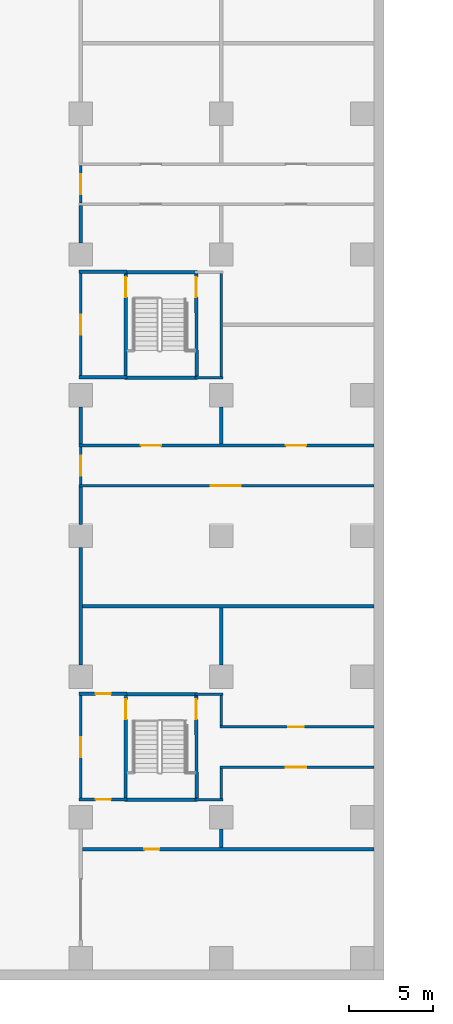
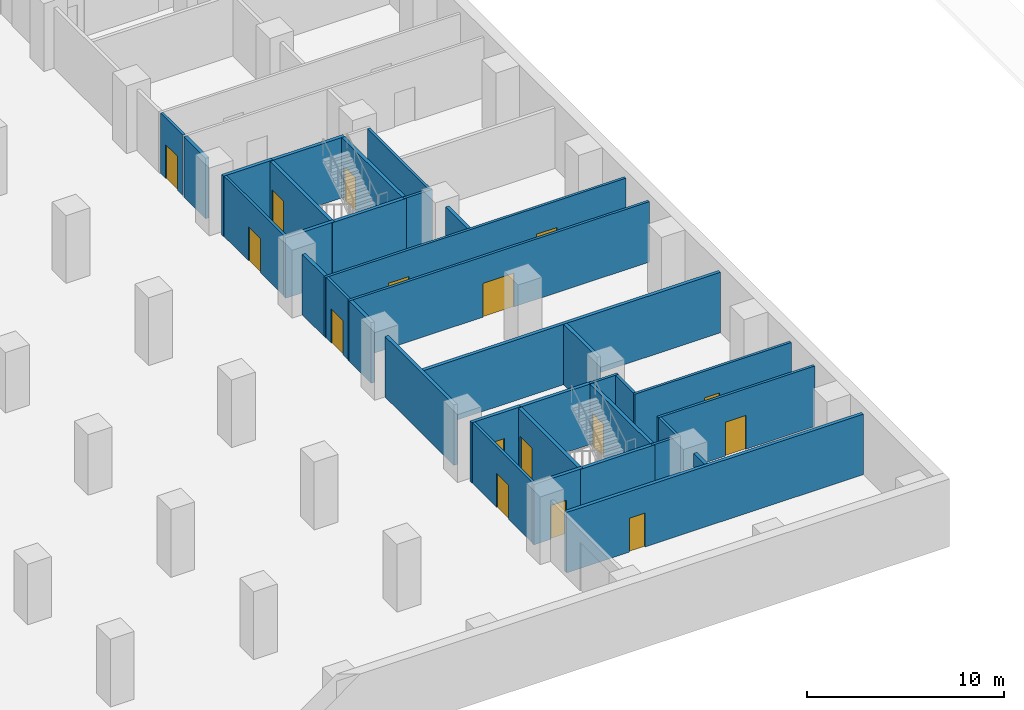
# One storey, part 8 of 17: 35 walls, 16 doors, 16 openings.
"""IFC4 building model written with IfcOpenShell, lengths in metres."""

from ifc_helpers import new_model, si_unit, direction, frame, frame_2d, origin, place, context, subcontext, project, spatial, rectangle, extrude, material, layer, layer_set, type_object, element, fill, save


model = new_model("IFC4")

# Units and contexts
model_context = context("Model", 3, precision=1e-05, world=origin(), true_north=direction((0.0, 1.0)))
body_context = subcontext(model_context, "Body", "Model", "MODEL_VIEW")
ifc_project = project(units=[si_unit("LENGTHUNIT", "METRE"), si_unit("AREAUNIT", "SQUARE_METRE"), si_unit("VOLUMEUNIT", "CUBIC_METRE"), si_unit("PLANEANGLEUNIT", "RADIAN"), si_unit("MASSUNIT", "GRAM", prefix="KILO")], contexts=[model_context])

# Site, building, storey
site_placement = place(None, origin())
site = spatial("IfcSite", under=ifc_project, at=site_placement, CompositionType="ELEMENT")
building_placement = place(site_placement, origin())
building = spatial("IfcBuilding", under=site, at=building_placement, Name="Vermilion Ogive Tower", CompositionType="ELEMENT")
storey_placement = place(building_placement, frame((0.0, 0.0, -4.199951171875)))
storey = spatial("IfcBuildingStorey", under=building, at=storey_placement, Name="B1", CompositionType="ELEMENT", Elevation=-4.199951171875)

# Wall
ifc_material_1 = material(Name="Gypsum board partition on steel studs", Category="steel")
ifc_layer_1 = layer(ifc_material_1, 0.14990234375)
ifc_layer_set_1 = layer_set([ifc_layer_1], Name="Partition 150 corridor")
wall_type_1 = type_object("IfcWallType", Name="Partition 150 corridor", PredefinedType="PARTITIONING", material=ifc_layer_set_1)
wall_1_placement = place(storey_placement, frame((48.824951171875, -28.35009765625, 0.0), z_axis=(0.0, 0.0, 1.0), x_axis=(1.0, 0.0, 0.0)))
element("IfcWall", 1, at=wall_1_placement, inside=storey, type_object=wall_type_1, Name="B1-PK-W-W004", PredefinedType="PARTITIONING", context=body_context, shape_type="SweptSolid", body=[
    extrude(rectangle(XDim=1.675048828125, YDim=0.14990234375, at=frame_2d((0.83740234375, 0.0))), origin(), (0.0, 0.0, 1.0), 3.75),
])

# Wall, opening, door
wall_2_placement = place(storey_placement, frame((50.324951171875, -26.39990234375, 0.0), z_axis=(0.0, 0.0, 1.0), x_axis=(1.0, 0.0, 0.0)))
wall_2 = element("IfcWall", 2, at=wall_2_placement, inside=storey, type_object=wall_type_1, Name="B1-PK-W-W005", PredefinedType="PARTITIONING", context=body_context, shape_type="SweptSolid", body=[
    extrude(rectangle(XDim=9.174072265625, YDim=0.14990234375, at=frame_2d((4.5869140625, 0.0))), origin(), (0.0, 0.0, 1.0), 3.75),
])
opening_1_placement = place(wall_2_placement, frame((3.925048828125, 0.0, 0.0)))
opening_1 = element("IfcOpeningElement", 3, at=opening_1_placement, cuts=wall_2, Name="Opening PK1-18", PredefinedType="OPENING", context=body_context, shape_type="SweptSolid", body=[
    extrude(rectangle(XDim=1.199951171875, YDim=2.10009765625, at=frame_2d((0.60009765625, 1.050048828125))), frame((0.0, 0.0849609375, 0.0), z_axis=(0.0, -1.0, 0.0), x_axis=(1.0, 0.0, 0.0)), (0.0, 0.0, 1.0), 0.169921875),
])
ifc_material_2 = material(Name="Timber door leaf", Category="wood")
door_type_1 = type_object("IfcDoorType", Name="Store door 1200 x 2100 FD30", OperationType="SINGLE_SWING_LEFT", PredefinedType="DOOR", material=ifc_material_2)
door_1_placement = place(opening_1_placement, origin())
door_1 = element("IfcDoor", 4, at=door_1_placement, inside=storey, type_object=door_type_1, Name="B1-PK-D-D018", OperationType="SINGLE_SWING_LEFT", OverallHeight=2.10009765625, OverallWidth=1.199951171875, PredefinedType="DOOR", context=body_context, shape_type="SweptSolid", body=[
    extrude(rectangle(XDim=1.199951171875, YDim=2.10009765625, at=frame_2d((0.60009765625, 1.050048828125))), frame((0.0, 0.02490234375, 0.0), z_axis=(0.0, -1.0, 0.0), x_axis=(1.0, 0.0, 0.0)), (0.0, 0.0, 1.0), 0.050048828125),
])
fill(opening_1, door_1)

wall_3_placement = place(storey_placement, frame((50.324951171875, -24.0, 0.0), z_axis=(0.0, 0.0, 1.0), x_axis=(1.0, 0.0, 0.0)))
wall_3 = element("IfcWall", 5, at=wall_3_placement, inside=storey, type_object=wall_type_1, Name="B1-PK-W-W006", PredefinedType="PARTITIONING", context=body_context, shape_type="SweptSolid", body=[
    extrude(rectangle(XDim=9.174072265625, YDim=0.14990234375, at=frame_2d((4.5869140625, 0.0))), origin(), (0.0, 0.0, 1.0), 3.75),
])
opening_2_placement = place(wall_3_placement, frame((4.0751953125, 0.0, 0.0)))
opening_2 = element("IfcOpeningElement", 6, at=opening_2_placement, cuts=wall_3, Name="Opening PK1-20", PredefinedType="OPENING", context=body_context, shape_type="SweptSolid", body=[
    extrude(rectangle(XDim=0.89990234375, YDim=2.10009765625, at=frame_2d((0.449951171875, 1.050048828125))), frame((0.0, 0.0849609375, 0.0), z_axis=(0.0, -1.0, 0.0), x_axis=(1.0, 0.0, 0.0)), (0.0, 0.0, 1.0), 0.169921875),
])
ifc_material_3 = material(Name="Timber door leaf", Category="wood")
door_type_2 = type_object("IfcDoorType", Name="Staff door 900 x 2100 FD30", OperationType="SINGLE_SWING_LEFT", PredefinedType="DOOR", material=ifc_material_3)
door_2_placement = place(opening_2_placement, origin())
door_2 = element("IfcDoor", 7, at=door_2_placement, inside=storey, type_object=door_type_2, Name="B1-PK-D-D020", OperationType="SINGLE_SWING_LEFT", OverallHeight=2.10009765625, OverallWidth=0.89990234375, PredefinedType="DOOR", context=body_context, shape_type="SweptSolid", body=[
    extrude(rectangle(XDim=0.89990234375, YDim=2.10009765625, at=frame_2d((0.449951171875, 1.050048828125))), frame((0.0, 0.02490234375, 0.0), z_axis=(0.0, -1.0, 0.0), x_axis=(1.0, 0.0, 0.0)), (0.0, 0.0, 1.0), 0.050048828125),
])
fill(opening_2, door_2)

# Wall
wall_4_placement = place(storey_placement, frame((48.824951171875, -22.050048828125, 0.0), z_axis=(0.0, 0.0, 1.0), x_axis=(1.0, 0.0, 0.0)))
element("IfcWall", 8, at=wall_4_placement, inside=storey, type_object=wall_type_1, Name="B1-PK-W-W012", PredefinedType="PARTITIONING", context=body_context, shape_type="SweptSolid", body=[
    extrude(rectangle(XDim=1.675048828125, YDim=0.14990234375, at=frame_2d((0.83740234375, 0.0))), origin(), (0.0, 0.0, 1.0), 3.75),
])

# Wall, opening, door
wall_5_placement = place(storey_placement, frame((41.89990234375, -9.60009765625, 0.0), z_axis=(0.0, 0.0, 1.0), x_axis=(1.0, 0.0, 0.0)))
wall_5 = element("IfcWall", 9, at=wall_5_placement, inside=storey, type_object=wall_type_1, Name="B1-PK-W-W016", PredefinedType="PARTITIONING", context=body_context, shape_type="SweptSolid", body=[
    extrude(rectangle(XDim=17.59912109375, YDim=0.14990234375, at=frame_2d((8.799560546875, 0.0))), origin(), (0.0, 0.0, 1.0), 3.75),
])
opening_3_placement = place(wall_5_placement, frame((7.85009765625, 0.0, 0.0)))
opening_3 = element("IfcOpeningElement", 10, at=opening_3_placement, cuts=wall_5, Name="Opening PK1-21", PredefinedType="OPENING", context=body_context, shape_type="SweptSolid", body=[
    extrude(rectangle(XDim=1.800048828125, YDim=2.10009765625, at=frame_2d((0.89990234375, 1.050048828125))), frame((0.0, 0.0849609375, 0.0), z_axis=(0.0, -1.0, 0.0), x_axis=(1.0, 0.0, 0.0)), (0.0, 0.0, 1.0), 0.169921875),
])
ifc_material_4 = material(Name="Timber door leaf", Category="wood")
door_type_3 = type_object("IfcDoorType", Name="Plant door 1800 x 2100 FD30", OperationType="DOUBLE_DOOR_SINGLE_SWING", PredefinedType="DOOR", material=ifc_material_4)
door_3_placement = place(opening_3_placement, origin())
door_3 = element("IfcDoor", 11, at=door_3_placement, inside=storey, type_object=door_type_3, Name="B1-PK-D-D021", OperationType="DOUBLE_DOOR_SINGLE_SWING", OverallHeight=2.10009765625, OverallWidth=1.800048828125, PredefinedType="DOOR", context=body_context, shape_type="SweptSolid", body=[
    extrude(rectangle(XDim=1.800048828125, YDim=2.10009765625, at=frame_2d((0.89990234375, 1.050048828125))), frame((0.0, 0.02490234375, 0.0), z_axis=(0.0, -1.0, 0.0), x_axis=(1.0, 0.0, 0.0)), (0.0, 0.0, 1.0), 0.050048828125),
])
fill(opening_3, door_3)

# Wall, openings, doors
wall_6_placement = place(storey_placement, frame((41.89990234375, -7.199951171875, 0.0), z_axis=(0.0, 0.0, 1.0), x_axis=(1.0, 0.0, 0.0)))
wall_6 = element("IfcWall", 12, at=wall_6_placement, inside=storey, type_object=wall_type_1, Name="B1-PK-W-W017", PredefinedType="PARTITIONING", context=body_context, shape_type="SweptSolid", body=[
    extrude(rectangle(XDim=17.59912109375, YDim=0.14990234375, at=frame_2d((8.799560546875, 0.0))), origin(), (0.0, 0.0, 1.0), 3.75),
])
opening_4_placement = place(wall_6_placement, frame((3.7001953125, 0.0, 0.0)))
opening_4 = element("IfcOpeningElement", 13, at=opening_4_placement, cuts=wall_6, Name="Opening PK1-22", PredefinedType="OPENING", context=body_context, shape_type="SweptSolid", body=[
    extrude(rectangle(XDim=1.199951171875, YDim=2.10009765625, at=frame_2d((0.60009765625, 1.050048828125))), frame((0.0, 0.0849609375, 0.0), z_axis=(0.0, -1.0, 0.0), x_axis=(1.0, 0.0, 0.0)), (0.0, 0.0, 1.0), 0.169921875),
])
opening_5_placement = place(wall_6_placement, frame((12.35009765625, 0.0, 0.0)))
opening_5 = element("IfcOpeningElement", 14, at=opening_5_placement, cuts=wall_6, Name="Opening PK1-23", PredefinedType="OPENING", context=body_context, shape_type="SweptSolid", body=[
    extrude(rectangle(XDim=1.199951171875, YDim=2.10009765625, at=frame_2d((0.60009765625, 1.050048828125))), frame((0.0, 0.0849609375, 0.0), z_axis=(0.0, -1.0, 0.0), x_axis=(1.0, 0.0, 0.0)), (0.0, 0.0, 1.0), 0.169921875),
])
door_4_placement = place(opening_4_placement, origin())
door_4 = element("IfcDoor", 15, at=door_4_placement, inside=storey, type_object=door_type_1, Name="B1-PK-D-D022", OperationType="SINGLE_SWING_LEFT", OverallHeight=2.10009765625, OverallWidth=1.199951171875, PredefinedType="DOOR", context=body_context, shape_type="SweptSolid", body=[
    extrude(rectangle(XDim=1.199951171875, YDim=2.10009765625, at=frame_2d((0.60009765625, 1.050048828125))), frame((0.0, 0.02490234375, 0.0), z_axis=(0.0, -1.0, 0.0), x_axis=(1.0, 0.0, 0.0)), (0.0, 0.0, 1.0), 0.050048828125),
])
fill(opening_4, door_4)
door_5_placement = place(opening_5_placement, origin())
door_5 = element("IfcDoor", 16, at=door_5_placement, inside=storey, type_object=door_type_1, Name="B1-PK-D-D023", OperationType="SINGLE_SWING_RIGHT", OverallHeight=2.10009765625, OverallWidth=1.199951171875, PredefinedType="DOOR", context=body_context, shape_type="SweptSolid", body=[
    extrude(rectangle(XDim=1.199951171875, YDim=2.10009765625, at=frame_2d((0.60009765625, 1.050048828125))), frame((0.0, 0.02490234375, 0.0), z_axis=(0.0, -1.0, 0.0), x_axis=(1.0, 0.0, 0.0)), (0.0, 0.0, 1.0), 0.050048828125),
])
fill(opening_5, door_5)

# Wall
wall_7_placement = place(storey_placement, frame((48.824951171875, -3.14990234375, 0.0), z_axis=(0.0, 0.0, 1.0), x_axis=(1.0, 0.0, 0.0)))
element("IfcWall", 17, at=wall_7_placement, inside=storey, type_object=wall_type_1, Name="B1-PK-W-W022", PredefinedType="PARTITIONING", context=body_context, shape_type="SweptSolid", body=[
    extrude(rectangle(XDim=1.675048828125, YDim=0.14990234375, at=frame_2d((0.83740234375, 0.0))), origin(), (0.0, 0.0, 1.0), 3.75),
])

# Wall, opening, door
wall_8_placement = place(storey_placement, frame((42.0, -28.27490234375, 0.0), z_axis=(0.0, 0.0, 1.0), x_axis=(0.0, 1.0, 0.0)))
wall_8 = element("IfcWall", 18, at=wall_8_placement, inside=storey, type_object=wall_type_1, Name="B1-PK-W-W053", PredefinedType="PARTITIONING", context=body_context, shape_type="SweptSolid", body=[
    extrude(rectangle(XDim=6.14990234375, YDim=0.14990234375, at=frame_2d((3.074951171875, 0.0))), origin(), (0.0, 0.0, 1.0), 3.75),
])
opening_6_placement = place(wall_8_placement, frame((2.474853515625, 0.0, 0.0)))
opening_6 = element("IfcOpeningElement", 19, at=opening_6_placement, cuts=wall_8, Name="Opening PK1-14", PredefinedType="OPENING", context=body_context, shape_type="SweptSolid", body=[
    extrude(rectangle(XDim=1.199951171875, YDim=2.10009765625, at=frame_2d((0.60009765625, 1.050048828125))), frame((0.0, 0.0849609375, 0.0), z_axis=(0.0, -1.0, 0.0), x_axis=(1.0, 0.0, 0.0)), (0.0, 0.0, 1.0), 0.169921875),
])
ifc_material_5 = material(Name="Timber door leaf", Category="wood")
door_type_4 = type_object("IfcDoorType", Name="Stair door 1200 x 2100 FD60S", OperationType="SINGLE_SWING_LEFT", PredefinedType="DOOR", material=ifc_material_5)
door_6_placement = place(opening_6_placement, origin())
door_6 = element("IfcDoor", 20, at=door_6_placement, inside=storey, type_object=door_type_4, Name="B1-PK-D-D014", OperationType="DOUBLE_DOOR_SINGLE_SWING", OverallHeight=2.10009765625, OverallWidth=1.199951171875, PredefinedType="DOOR", context=body_context, shape_type="SweptSolid", body=[
    extrude(rectangle(XDim=1.199951171875, YDim=2.10009765625, at=frame_2d((0.60009765625, 1.050048828125))), frame((0.0, 0.02490234375, 0.0), z_axis=(0.0, -1.0, 0.0), x_axis=(1.0, 0.0, 0.0)), (0.0, 0.0, 1.0), 0.050048828125),
])
fill(opening_6, door_6)

wall_9_placement = place(storey_placement, frame((42.0, -9.52490234375, 0.0), z_axis=(0.0, 0.0, 1.0), x_axis=(0.0, 1.0, 0.0)))
wall_9 = element("IfcWall", 21, at=wall_9_placement, inside=storey, type_object=wall_type_1, Name="B1-PK-W-W055", PredefinedType="PARTITIONING", context=body_context, shape_type="SweptSolid", body=[
    extrude(rectangle(XDim=2.25, YDim=0.14990234375, at=frame_2d((1.125, 0.0))), origin(), (0.0, 0.0, 1.0), 3.75),
])
opening_7_placement = place(wall_9_placement, frame((0.52490234375, 0.0, 0.0)))
opening_7 = element("IfcOpeningElement", 22, at=opening_7_placement, cuts=wall_9, Name="Opening PK1-32", PredefinedType="OPENING", context=body_context, shape_type="SweptSolid", body=[
    extrude(rectangle(XDim=1.199951171875, YDim=2.10009765625, at=frame_2d((0.60009765625, 1.050048828125))), frame((0.0, 0.0849609375, 0.0), z_axis=(0.0, -1.0, 0.0), x_axis=(1.0, 0.0, 0.0)), (0.0, 0.0, 1.0), 0.169921875),
])
ifc_material_6 = material(Name="Timber door leaf", Category="wood")
door_type_5 = type_object("IfcDoorType", Name="Fire door 1200 x 2100 FD30", OperationType="SINGLE_SWING_LEFT", PredefinedType="DOOR", material=ifc_material_6)
door_7_placement = place(opening_7_placement, origin())
door_7 = element("IfcDoor", 23, at=door_7_placement, inside=storey, type_object=door_type_5, Name="B1-PK-D-D032", OperationType="SINGLE_SWING_LEFT", OverallHeight=2.10009765625, OverallWidth=1.199951171875, PredefinedType="DOOR", context=body_context, shape_type="SweptSolid", body=[
    extrude(rectangle(XDim=1.199951171875, YDim=2.10009765625, at=frame_2d((0.60009765625, 1.050048828125))), frame((0.0, 0.02490234375, 0.0), z_axis=(0.0, -1.0, 0.0), x_axis=(1.0, 0.0, 0.0)), (0.0, 0.0, 1.0), 0.050048828125),
])
fill(opening_7, door_7)

wall_10_placement = place(storey_placement, frame((42.0, -3.074951171875, 0.0), z_axis=(0.0, 0.0, 1.0), x_axis=(0.0, 1.0, 0.0)))
wall_10 = element("IfcWall", 24, at=wall_10_placement, inside=storey, type_object=wall_type_1, Name="B1-PK-W-W057", PredefinedType="PARTITIONING", context=body_context, shape_type="SweptSolid", body=[
    extrude(rectangle(XDim=6.14990234375, YDim=0.14990234375, at=frame_2d((3.074951171875, 0.0))), origin(), (0.0, 0.0, 1.0), 3.75),
])
opening_8_placement = place(wall_10_placement, frame((2.474853515625, 0.0, 0.0)))
opening_8 = element("IfcOpeningElement", 25, at=opening_8_placement, cuts=wall_10, Name="Opening PK1-08", PredefinedType="OPENING", context=body_context, shape_type="SweptSolid", body=[
    extrude(rectangle(XDim=1.199951171875, YDim=2.10009765625, at=frame_2d((0.60009765625, 1.050048828125))), frame((0.0, 0.0849609375, 0.0), z_axis=(0.0, -1.0, 0.0), x_axis=(1.0, 0.0, 0.0)), (0.0, 0.0, 1.0), 0.169921875),
])
door_8_placement = place(opening_8_placement, origin())
door_8 = element("IfcDoor", 26, at=door_8_placement, inside=storey, type_object=door_type_4, Name="B1-PK-D-D008", OperationType="DOUBLE_DOOR_SINGLE_SWING", OverallHeight=2.10009765625, OverallWidth=1.199951171875, PredefinedType="DOOR", context=body_context, shape_type="SweptSolid", body=[
    extrude(rectangle(XDim=1.199951171875, YDim=2.10009765625, at=frame_2d((0.60009765625, 1.050048828125))), frame((0.0, 0.02490234375, 0.0), z_axis=(0.0, -1.0, 0.0), x_axis=(1.0, 0.0, 0.0)), (0.0, 0.0, 1.0), 0.050048828125),
])
fill(opening_8, door_8)

wall_11_placement = place(storey_placement, frame((42.0, 7.27490234375, 0.0), z_axis=(0.0, 0.0, 1.0), x_axis=(0.0, 1.0, 0.0)))
wall_11 = element("IfcWall", 27, at=wall_11_placement, inside=storey, type_object=wall_type_1, Name="B1-PK-W-W059", PredefinedType="PARTITIONING", context=body_context, shape_type="SweptSolid", body=[
    extrude(rectangle(XDim=2.25, YDim=0.14990234375, at=frame_2d((1.125, 0.0))), origin(), (0.0, 0.0, 1.0), 3.75),
])
opening_9_placement = place(wall_11_placement, frame((0.525146484375, 0.0, 0.0)))
opening_9 = element("IfcOpeningElement", 28, at=opening_9_placement, cuts=wall_11, Name="Opening PK1-33", PredefinedType="OPENING", context=body_context, shape_type="SweptSolid", body=[
    extrude(rectangle(XDim=1.199951171875, YDim=2.10009765625, at=frame_2d((0.60009765625, 1.050048828125))), frame((0.0, 0.0849609375, 0.0), z_axis=(0.0, -1.0, 0.0), x_axis=(1.0, 0.0, 0.0)), (0.0, 0.0, 1.0), 0.169921875),
])
door_9_placement = place(opening_9_placement, origin())
door_9 = element("IfcDoor", 29, at=door_9_placement, inside=storey, type_object=door_type_5, Name="B1-PK-D-D033", OperationType="SINGLE_SWING_RIGHT", OverallHeight=2.10009765625, OverallWidth=1.199951171875, PredefinedType="DOOR", context=body_context, shape_type="SweptSolid", body=[
    extrude(rectangle(XDim=1.199951171875, YDim=2.10009765625, at=frame_2d((0.60009765625, 1.050048828125))), frame((0.0, 0.02490234375, 0.0), z_axis=(0.0, -1.0, 0.0), x_axis=(1.0, 0.0, 0.0)), (0.0, 0.0, 1.0), 0.050048828125),
])
fill(opening_9, door_9)

# Walls
wall_12_placement = place(storey_placement, frame((50.39990234375, -28.27490234375, 0.0), z_axis=(0.0, 0.0, 1.0), x_axis=(0.0, 1.0, 0.0)))
element("IfcWall", 30, at=wall_12_placement, inside=storey, type_object=wall_type_1, Name="B1-PK-W-W070", PredefinedType="PARTITIONING", context=body_context, shape_type="SweptSolid", body=[
    extrude(rectangle(XDim=1.7998046875, YDim=0.14990234375, at=frame_2d((0.89990234375, 0.0))), origin(), (0.0, 0.0, 1.0), 3.75),
])
wall_13_placement = place(storey_placement, frame((50.39990234375, -23.925048828125, 0.0), z_axis=(0.0, 0.0, 1.0), x_axis=(0.0, 1.0, 0.0)))
element("IfcWall", 31, at=wall_13_placement, inside=storey, type_object=wall_type_1, Name="B1-PK-W-W071", PredefinedType="PARTITIONING", context=body_context, shape_type="SweptSolid", body=[
    extrude(rectangle(XDim=1.800048828125, YDim=0.14990234375, at=frame_2d((0.89990234375, 0.0))), origin(), (0.0, 0.0, 1.0), 3.75),
])
wall_14_placement = place(storey_placement, frame((50.39990234375, -3.074951171875, 0.0), z_axis=(0.0, 0.0, 1.0), x_axis=(0.0, 1.0, 0.0)))
element("IfcWall", 32, at=wall_14_placement, inside=storey, type_object=wall_type_1, Name="B1-PK-W-W074", PredefinedType="PARTITIONING", context=body_context, shape_type="SweptSolid", body=[
    extrude(rectangle(XDim=6.14990234375, YDim=0.14990234375, at=frame_2d((3.074951171875, 0.0))), origin(), (0.0, 0.0, 1.0), 3.75),
])

# Wall, opening, door
ifc_material_7 = material(Name="Gypsum board partition on steel studs", Category="steel")
ifc_layer_2 = layer(ifc_material_7, 0.199951171875)
ifc_layer_set_2 = layer_set([ifc_layer_2], Name="Partition 200 party")
wall_type_2 = type_object("IfcWallType", Name="Partition 200 party", PredefinedType="PARTITIONING", material=ifc_layer_set_2)
wall_15_placement = place(storey_placement, frame((42.10009765625, -31.300048828125, 0.0), z_axis=(0.0, 0.0, 1.0), x_axis=(1.0, 0.0, 0.0)))
wall_15 = element("IfcWall", 33, at=wall_15_placement, inside=storey, type_object=wall_type_2, Name="B1-PK-W-W001", PredefinedType="PARTITIONING", context=body_context, shape_type="SweptSolid", body=[
    extrude(rectangle(XDim=17.39892578125, YDim=0.199951171875, at=frame_2d((8.699462890625, 0.0))), origin(), (0.0, 0.0, 1.0), 3.75),
])
opening_10_placement = place(wall_15_placement, frame((3.699951171875, 0.0, 0.0)))
opening_10 = element("IfcOpeningElement", 34, at=opening_10_placement, cuts=wall_15, Name="Opening PK1-35", PredefinedType="OPENING", context=body_context, shape_type="SweptSolid", body=[
    extrude(rectangle(XDim=0.89990234375, YDim=2.10009765625, at=frame_2d((0.449951171875, 1.050048828125))), frame((0.0, 0.10986328125, 0.0), z_axis=(0.0, -1.0, 0.0), x_axis=(1.0, 0.0, 0.0)), (0.0, 0.0, 1.0), 0.219970703125),
])
door_10_placement = place(opening_10_placement, origin())
door_10 = element("IfcDoor", 35, at=door_10_placement, inside=storey, type_object=door_type_2, Name="B1-PK-D-D035", OperationType="SINGLE_SWING_RIGHT", OverallHeight=2.10009765625, OverallWidth=0.89990234375, PredefinedType="DOOR", context=body_context, shape_type="SweptSolid", body=[
    extrude(rectangle(XDim=0.89990234375, YDim=2.10009765625, at=frame_2d((0.449951171875, 1.050048828125))), frame((0.0, 0.02490234375, 0.0), z_axis=(0.0, -1.0, 0.0), x_axis=(1.0, 0.0, 0.0)), (0.0, 0.0, 1.0), 0.050048828125),
])
fill(opening_10, door_10)

# Walls
wall_16_placement = place(storey_placement, frame((42.10009765625, -16.800048828125, 0.0), z_axis=(0.0, 0.0, 1.0), x_axis=(1.0, 0.0, 0.0)))
element("IfcWall", 36, at=wall_16_placement, inside=storey, type_object=wall_type_2, Name="B1-PK-W-W013", PredefinedType="PARTITIONING", context=body_context, shape_type="SweptSolid", body=[
    extrude(rectangle(XDim=17.39892578125, YDim=0.199951171875, at=frame_2d((8.699462890625, 0.0))), origin(), (0.0, 0.0, 1.0), 3.75),
])
wall_17_placement = place(storey_placement, frame((42.0, -20.300048828125, 0.0), z_axis=(0.0, 0.0, 1.0), x_axis=(0.0, 1.0, 0.0)))
element("IfcWall", 37, at=wall_17_placement, inside=storey, type_object=wall_type_2, Name="B1-PK-W-W054a", PredefinedType="PARTITIONING", context=body_context, shape_type="SweptSolid", body=[
    extrude(rectangle(XDim=7.0, YDim=0.199951171875, at=frame_2d((3.5, 0.0))), origin(), (0.0, 0.0, 1.0), 3.75),
])
wall_18_placement = place(storey_placement, frame((42.0, -11.89990234375, 0.0), z_axis=(0.0, 0.0, 1.0), x_axis=(0.0, 1.0, 0.0)))
element("IfcWall", 38, at=wall_18_placement, inside=storey, type_object=wall_type_2, Name="B1-PK-W-W054b", PredefinedType="PARTITIONING", context=body_context, shape_type="SweptSolid", body=[
    extrude(rectangle(XDim=2.224853515625, YDim=0.199951171875, at=frame_2d((1.1123046875, 0.0))), origin(), (0.0, 0.0, 1.0), 3.75),
])
for number, where, z_axis, x_axis, name in (
    (39, (42.0, -7.125, 0.0), (0.0, 0.0, 1.0), (0.0, 1.0, 0.0), "B1-PK-W-W056a"),
    (40, (42.0, 4.89990234375, 0.0), (0.0, 0.0, 1.0), (0.0, 1.0, 0.0), "B1-PK-W-W058a"),
):
    element("IfcWall", number, at=place(storey_placement, frame(where, z_axis=z_axis, x_axis=x_axis)), inside=storey, type_object=wall_type_2, Name=name, PredefinedType="PARTITIONING", context=body_context, shape_type="SweptSolid", body=[
        extrude(rectangle(XDim=2.22509765625, YDim=0.199951171875, at=frame_2d((1.112548828125, 0.0))), origin(), (0.0, 0.0, 1.0), 3.75),
    ])
wall_19_placement = place(storey_placement, frame((50.39990234375, -31.199951171875, 0.0), z_axis=(0.0, 0.0, 1.0), x_axis=(0.0, 1.0, 0.0)))
element("IfcWall", 41, at=wall_19_placement, inside=storey, type_object=wall_type_2, Name="B1-PK-W-W069a", PredefinedType="PARTITIONING", context=body_context, shape_type="SweptSolid", body=[
    extrude(rectangle(XDim=1.099853515625, YDim=0.199951171875, at=frame_2d((0.5498046875, 0.0))), origin(), (0.0, 0.0, 1.0), 3.75),
])
wall_20_placement = place(storey_placement, frame((50.39990234375, -20.300048828125, 0.0), z_axis=(0.0, 0.0, 1.0), x_axis=(0.0, 1.0, 0.0)))
element("IfcWall", 42, at=wall_20_placement, inside=storey, type_object=wall_type_2, Name="B1-PK-W-W072a", PredefinedType="PARTITIONING", context=body_context, shape_type="SweptSolid", body=[
    extrude(rectangle(XDim=3.400146484375, YDim=0.199951171875, at=frame_2d((1.7001953125, 0.0))), origin(), (0.0, 0.0, 1.0), 3.75),
])
wall_21_placement = place(storey_placement, frame((50.39990234375, -7.125, 0.0), z_axis=(0.0, 0.0, 1.0), x_axis=(0.0, 1.0, 0.0)))
element("IfcWall", 43, at=wall_21_placement, inside=storey, type_object=wall_type_2, Name="B1-PK-W-W073a", PredefinedType="PARTITIONING", context=body_context, shape_type="SweptSolid", body=[
    extrude(rectangle(XDim=2.22509765625, YDim=0.199951171875, at=frame_2d((1.112548828125, 0.0))), origin(), (0.0, 0.0, 1.0), 3.75),
])

# Wall, opening, door
ifc_material_8 = material(Name="Concrete B60", Category="concrete")
ifc_layer_3 = layer(ifc_material_8, 0.199951171875)
ifc_layer_set_3 = layer_set([ifc_layer_3], Name="Stair shaft wall 200 Concrete B60")
wall_type_3 = type_object("IfcWallType", Name="Stair shaft wall 200 Concrete B60", PredefinedType="SOLIDWALL", material=ifc_layer_set_3)
wall_22_placement = place(storey_placement, frame((41.89990234375, -28.3251953125, 0.0), z_axis=(0.0, 0.0, 1.0), x_axis=(1.0, 0.0, 0.0)))
wall_22 = element("IfcWall", 44, at=wall_22_placement, inside=storey, type_object=wall_type_3, Name="B1-PK-W-W002", PredefinedType="SOLIDWALL", context=body_context, shape_type="SweptSolid", body=[
    extrude(rectangle(XDim=2.875, YDim=0.199951171875, at=frame_2d((1.4375, 0.0))), origin(), (0.0, 0.0, 1.0), 3.75),
])
opening_11_placement = place(wall_22_placement, frame((1.0, 0.0, 0.0)))
opening_11 = element("IfcOpeningElement", 45, at=opening_11_placement, cuts=wall_22, Name="Opening PK1-17", PredefinedType="OPENING", context=body_context, shape_type="SweptSolid", body=[
    extrude(rectangle(XDim=0.89990234375, YDim=2.10009765625, at=frame_2d((0.449951171875, 1.050048828125))), frame((0.0, 0.10986328125, 0.0), z_axis=(0.0, -1.0, 0.0), x_axis=(1.0, 0.0, 0.0)), (0.0, 0.0, 1.0), 0.219970703125),
])
door_11_placement = place(opening_11_placement, origin())
door_11 = element("IfcDoor", 46, at=door_11_placement, inside=storey, type_object=door_type_2, Name="B1-PK-D-D017", OperationType="SINGLE_SWING_RIGHT", OverallHeight=2.10009765625, OverallWidth=0.89990234375, PredefinedType="DOOR", context=body_context, shape_type="SweptSolid", body=[
    extrude(rectangle(XDim=0.89990234375, YDim=2.10009765625, at=frame_2d((0.449951171875, 1.050048828125))), frame((0.0, 0.02490234375, 0.0), z_axis=(0.0, -1.0, 0.0), x_axis=(1.0, 0.0, 0.0)), (0.0, 0.0, 1.0), 0.050048828125),
])
fill(opening_11, door_11)

# Wall
wall_23_placement = place(storey_placement, frame((44.625, -28.35009765625, 0.0), z_axis=(0.0, 0.0, 1.0), x_axis=(1.0, 0.0, 0.0)))
element("IfcWall", 47, at=wall_23_placement, inside=storey, type_object=wall_type_3, Name="B1-PK-W-W003", PredefinedType="SOLIDWALL", context=body_context, shape_type="SweptSolid", body=[
    extrude(rectangle(XDim=4.35009765625, YDim=0.199951171875, at=frame_2d((2.175048828125, 0.0))), origin(), (0.0, 0.0, 1.0), 3.75),
])

# Wall, opening, door
wall_24_placement = place(storey_placement, frame((41.89990234375, -22.025146484375, 0.0), z_axis=(0.0, 0.0, 1.0), x_axis=(1.0, 0.0, 0.0)))
wall_24 = element("IfcWall", 48, at=wall_24_placement, inside=storey, type_object=wall_type_3, Name="B1-PK-W-W010", PredefinedType="SOLIDWALL", context=body_context, shape_type="SweptSolid", body=[
    extrude(rectangle(XDim=2.875, YDim=0.199951171875, at=frame_2d((1.4375, 0.0))), origin(), (0.0, 0.0, 1.0), 3.75),
])
opening_12_placement = place(wall_24_placement, frame((1.0, 0.0, 0.0)))
opening_12 = element("IfcOpeningElement", 49, at=opening_12_placement, cuts=wall_24, Name="Opening PK1-19", PredefinedType="OPENING", context=body_context, shape_type="SweptSolid", body=[
    extrude(rectangle(XDim=0.89990234375, YDim=2.10009765625, at=frame_2d((0.449951171875, 1.050048828125))), frame((0.0, 0.10986328125, 0.0), z_axis=(0.0, -1.0, 0.0), x_axis=(1.0, 0.0, 0.0)), (0.0, 0.0, 1.0), 0.219970703125),
])
door_12_placement = place(opening_12_placement, origin())
door_12 = element("IfcDoor", 50, at=door_12_placement, inside=storey, type_object=door_type_2, Name="B1-PK-D-D019", OperationType="SINGLE_SWING_RIGHT", OverallHeight=2.10009765625, OverallWidth=0.89990234375, PredefinedType="DOOR", context=body_context, shape_type="SweptSolid", body=[
    extrude(rectangle(XDim=0.89990234375, YDim=2.10009765625, at=frame_2d((0.449951171875, 1.050048828125))), frame((0.0, 0.02490234375, 0.0), z_axis=(0.0, -1.0, 0.0), x_axis=(1.0, 0.0, 0.0)), (0.0, 0.0, 1.0), 0.050048828125),
])
fill(opening_12, door_12)

# Walls
wall_25_placement = place(storey_placement, frame((44.625, -22.050048828125, 0.0), z_axis=(0.0, 0.0, 1.0), x_axis=(1.0, 0.0, 0.0)))
element("IfcWall", 51, at=wall_25_placement, inside=storey, type_object=wall_type_3, Name="B1-PK-W-W011", PredefinedType="SOLIDWALL", context=body_context, shape_type="SweptSolid", body=[
    extrude(rectangle(XDim=4.35009765625, YDim=0.199951171875, at=frame_2d((2.175048828125, 0.0))), origin(), (0.0, 0.0, 1.0), 3.75),
])
wall_26_placement = place(storey_placement, frame((41.89990234375, -3.125, 0.0), z_axis=(0.0, 0.0, 1.0), x_axis=(1.0, 0.0, 0.0)))
element("IfcWall", 52, at=wall_26_placement, inside=storey, type_object=wall_type_3, Name="B1-PK-W-W020", PredefinedType="SOLIDWALL", context=body_context, shape_type="SweptSolid", body=[
    extrude(rectangle(XDim=2.875, YDim=0.199951171875, at=frame_2d((1.4375, 0.0))), origin(), (0.0, 0.0, 1.0), 3.75),
])
wall_27_placement = place(storey_placement, frame((44.625, -3.14990234375, 0.0), z_axis=(0.0, 0.0, 1.0), x_axis=(1.0, 0.0, 0.0)))
element("IfcWall", 53, at=wall_27_placement, inside=storey, type_object=wall_type_3, Name="B1-PK-W-W021", PredefinedType="SOLIDWALL", context=body_context, shape_type="SweptSolid", body=[
    extrude(rectangle(XDim=4.35009765625, YDim=0.199951171875, at=frame_2d((2.175048828125, 0.0))), origin(), (0.0, 0.0, 1.0), 3.75),
])
wall_28_placement = place(storey_placement, frame((41.89990234375, 3.1748046875, 0.0), z_axis=(0.0, 0.0, 1.0), x_axis=(1.0, 0.0, 0.0)))
element("IfcWall", 54, at=wall_28_placement, inside=storey, type_object=wall_type_3, Name="B1-PK-W-W024", PredefinedType="SOLIDWALL", context=body_context, shape_type="SweptSolid", body=[
    extrude(rectangle(XDim=2.875, YDim=0.199951171875, at=frame_2d((1.4375, 0.0))), origin(), (0.0, 0.0, 1.0), 3.75),
])
wall_29_placement = place(storey_placement, frame((44.625, 3.14990234375, 0.0), z_axis=(0.0, 0.0, 1.0), x_axis=(1.0, 0.0, 0.0)))
element("IfcWall", 55, at=wall_29_placement, inside=storey, type_object=wall_type_3, Name="B1-PK-W-W025", PredefinedType="SOLIDWALL", context=body_context, shape_type="SweptSolid", body=[
    extrude(rectangle(XDim=4.35009765625, YDim=0.199951171875, at=frame_2d((2.175048828125, 0.0))), origin(), (0.0, 0.0, 1.0), 3.75),
])

# Wall, opening, door
wall_30_placement = place(storey_placement, frame((44.675048828125, -28.25, 0.0), z_axis=(0.0, 0.0, 1.0), x_axis=(0.004098985015, 0.999991599126, 0.0)))
wall_30 = element("IfcWall", 56, at=wall_30_placement, inside=storey, type_object=wall_type_3, Name="B1-PK-W-W063", PredefinedType="SOLIDWALL", context=body_context, shape_type="SweptSolid", body=[
    extrude(rectangle(XDim=6.0751953125, YDim=0.199951171875, at=frame_2d((3.03759765625, 0.0))), origin(), (0.0, 0.0, 1.0), 3.75),
])
opening_13_placement = place(wall_30_placement, frame((4.7001953125, 0.0, 0.0)))
opening_13 = element("IfcOpeningElement", 57, at=opening_13_placement, cuts=wall_30, Name="Opening PK1-15", PredefinedType="OPENING", context=body_context, shape_type="SweptSolid", body=[
    extrude(rectangle(XDim=1.199951171875, YDim=2.10009765625, at=frame_2d((0.60009765625, 1.050048828125))), frame((0.0, 0.10986328125, 0.0), z_axis=(0.0, -1.0, 0.0), x_axis=(1.0, 0.0, 0.0)), (0.0, 0.0, 1.0), 0.219970703125),
])
door_13_placement = place(opening_13_placement, origin())
door_13 = element("IfcDoor", 58, at=door_13_placement, inside=storey, type_object=door_type_4, Name="B1-PK-D-D015", OperationType="DOUBLE_DOOR_SINGLE_SWING", OverallHeight=2.10009765625, OverallWidth=1.199951171875, PredefinedType="DOOR", context=body_context, shape_type="SweptSolid", body=[
    extrude(rectangle(XDim=1.199951171875, YDim=2.10009765625, at=frame_2d((0.60009765625, 1.050048828125))), frame((0.0, 0.02490234375, 0.0), z_axis=(0.0, -1.0, 0.0), x_axis=(1.0, 0.0, 0.0)), (0.0, 0.0, 1.0), 0.050048828125),
])
fill(opening_13, door_13)

wall_31_placement = place(storey_placement, frame((44.675048828125, -3.050048828125, 0.0), z_axis=(0.0, 0.0, 1.0), x_axis=(0.004098985015, 0.999991599126, 0.0)))
wall_31 = element("IfcWall", 59, at=wall_31_placement, inside=storey, type_object=wall_type_3, Name="B1-PK-W-W064", PredefinedType="SOLIDWALL", context=body_context, shape_type="SweptSolid", body=[
    extrude(rectangle(XDim=6.0751953125, YDim=0.199951171875, at=frame_2d((3.03759765625, 0.0))), origin(), (0.0, 0.0, 1.0), 3.75),
])
opening_14_placement = place(wall_31_placement, frame((4.7001953125, 0.0, 0.0)))
opening_14 = element("IfcOpeningElement", 60, at=opening_14_placement, cuts=wall_31, Name="Opening PK1-09", PredefinedType="OPENING", context=body_context, shape_type="SweptSolid", body=[
    extrude(rectangle(XDim=1.199951171875, YDim=2.10009765625, at=frame_2d((0.60009765625, 1.050048828125))), frame((0.0, 0.10986328125, 0.0), z_axis=(0.0, -1.0, 0.0), x_axis=(1.0, 0.0, 0.0)), (0.0, 0.0, 1.0), 0.219970703125),
])
door_14_placement = place(opening_14_placement, origin())
door_14 = element("IfcDoor", 61, at=door_14_placement, inside=storey, type_object=door_type_4, Name="B1-PK-D-D009", OperationType="DOUBLE_DOOR_SINGLE_SWING", OverallHeight=2.10009765625, OverallWidth=1.199951171875, PredefinedType="DOOR", context=body_context, shape_type="SweptSolid", body=[
    extrude(rectangle(XDim=1.199951171875, YDim=2.10009765625, at=frame_2d((0.60009765625, 1.050048828125))), frame((0.0, 0.02490234375, 0.0), z_axis=(0.0, -1.0, 0.0), x_axis=(1.0, 0.0, 0.0)), (0.0, 0.0, 1.0), 0.050048828125),
])
fill(opening_14, door_14)

wall_32_placement = place(storey_placement, frame((48.9248046875, -28.25, 0.0), z_axis=(0.0, 0.0, 1.0), x_axis=(-0.004065655173, 0.99999173519, 0.0)))
wall_32 = element("IfcWall", 62, at=wall_32_placement, inside=storey, type_object=wall_type_3, Name="B1-PK-W-W066", PredefinedType="SOLIDWALL", context=body_context, shape_type="SweptSolid", body=[
    extrude(rectangle(XDim=6.125, YDim=0.199951171875, at=frame_2d((3.0625, 0.0))), origin(), (0.0, 0.0, 1.0), 3.75),
])
opening_15_placement = place(wall_32_placement, frame((4.7001953125, 0.0, 0.0)))
opening_15 = element("IfcOpeningElement", 63, at=opening_15_placement, cuts=wall_32, Name="Opening PK1-16", PredefinedType="OPENING", context=body_context, shape_type="SweptSolid", body=[
    extrude(rectangle(XDim=1.199951171875, YDim=2.10009765625, at=frame_2d((0.60009765625, 1.050048828125))), frame((0.0, 0.10986328125, 0.0), z_axis=(0.0, -1.0, 0.0), x_axis=(1.0, 0.0, 0.0)), (0.0, 0.0, 1.0), 0.219970703125),
])
door_15_placement = place(opening_15_placement, origin())
door_15 = element("IfcDoor", 64, at=door_15_placement, inside=storey, type_object=door_type_4, Name="B1-PK-D-D016", OperationType="DOUBLE_DOOR_SINGLE_SWING", OverallHeight=2.10009765625, OverallWidth=1.199951171875, PredefinedType="DOOR", context=body_context, shape_type="SweptSolid", body=[
    extrude(rectangle(XDim=1.199951171875, YDim=2.10009765625, at=frame_2d((0.60009765625, 1.050048828125))), frame((0.0, 0.02490234375, 0.0), z_axis=(0.0, -1.0, 0.0), x_axis=(1.0, 0.0, 0.0)), (0.0, 0.0, 1.0), 0.050048828125),
])
fill(opening_15, door_15)

wall_33_placement = place(storey_placement, frame((48.9248046875, -3.050048828125, 0.0), z_axis=(0.0, 0.0, 1.0), x_axis=(-0.004065655173, 0.99999173519, 0.0)))
wall_33 = element("IfcWall", 65, at=wall_33_placement, inside=storey, type_object=wall_type_3, Name="B1-PK-W-W067", PredefinedType="SOLIDWALL", context=body_context, shape_type="SweptSolid", body=[
    extrude(rectangle(XDim=6.125, YDim=0.199951171875, at=frame_2d((3.0625, 0.0))), origin(), (0.0, 0.0, 1.0), 3.75),
])
opening_16_placement = place(wall_33_placement, frame((4.7001953125, 0.0, 0.0)))
opening_16 = element("IfcOpeningElement", 66, at=opening_16_placement, cuts=wall_33, Name="Opening PK1-10", PredefinedType="OPENING", context=body_context, shape_type="SweptSolid", body=[
    extrude(rectangle(XDim=1.199951171875, YDim=2.10009765625, at=frame_2d((0.60009765625, 1.050048828125))), frame((0.0, 0.10986328125, 0.0), z_axis=(0.0, -1.0, 0.0), x_axis=(1.0, 0.0, 0.0)), (0.0, 0.0, 1.0), 0.219970703125),
])
door_16_placement = place(opening_16_placement, origin())
door_16 = element("IfcDoor", 67, at=door_16_placement, inside=storey, type_object=door_type_4, Name="B1-PK-D-D010", OperationType="DOUBLE_DOOR_SINGLE_SWING", OverallHeight=2.10009765625, OverallWidth=1.199951171875, PredefinedType="DOOR", context=body_context, shape_type="SweptSolid", body=[
    extrude(rectangle(XDim=1.199951171875, YDim=2.10009765625, at=frame_2d((0.60009765625, 1.050048828125))), frame((0.0, 0.02490234375, 0.0), z_axis=(0.0, -1.0, 0.0), x_axis=(1.0, 0.0, 0.0)), (0.0, 0.0, 1.0), 0.050048828125),
])
fill(opening_16, door_16)

save(model, "model.ifc")
